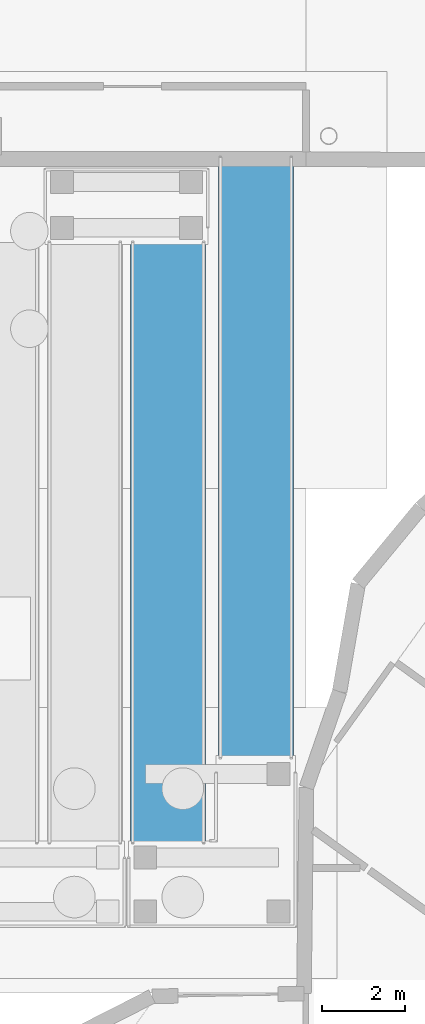
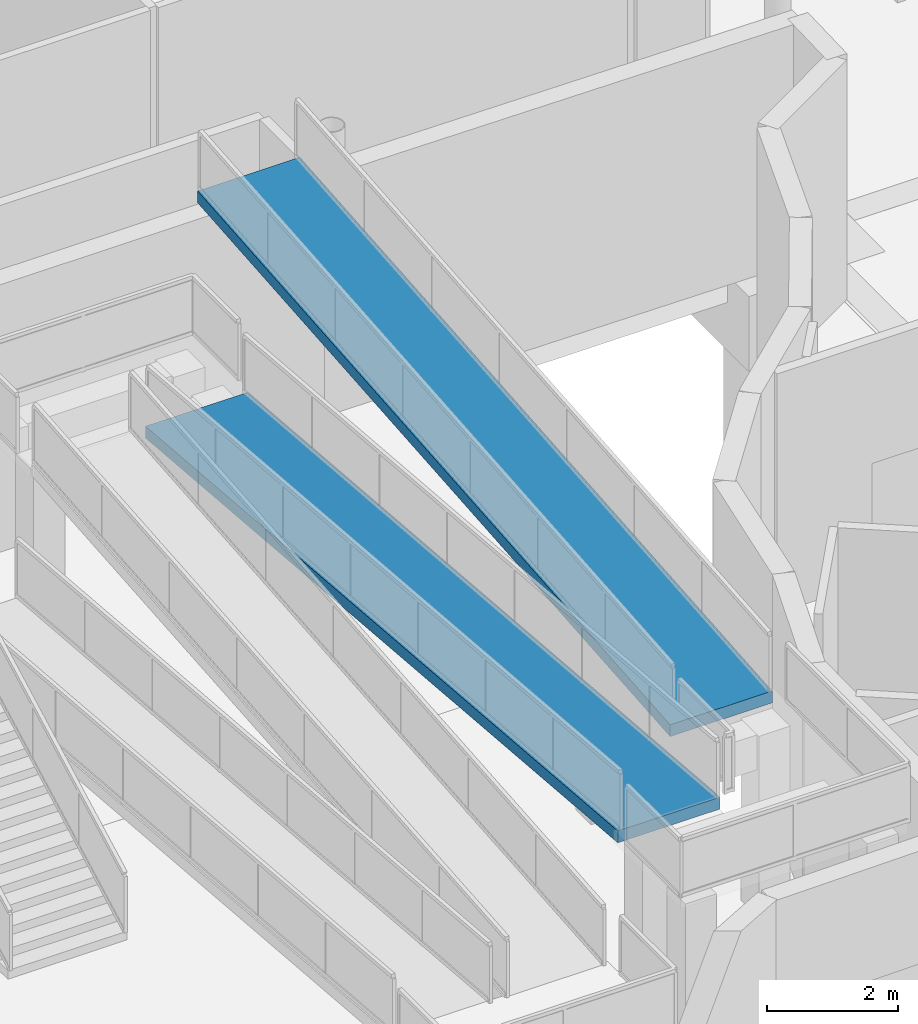
# One storey, part 40 of 45: 2 ramp flights, 2 elements without a shape of their own.
"""IFC4 building model written with IfcOpenShell, lengths in metres."""

import ifcopenshell
import ifcopenshell.guid

model = None  # the IFC model being written
_history = None  # IfcOwnerHistory: only IFC2X3 demands one
_inside = {}  # id of a spatial element -> (the spatial element, [elements in it])
_under = {}  # id of a project, library or spatial element -> (it, [spatial elements below it])
_declared = {}  # id of a project -> (the project, [libraries it declares])
_typed = {}  # id of a type object -> (the type object, [elements of that type])
_made_of = {}  # id of a material, layer set ... -> (it, [elements and type objects made of it])


def new_model(schema):
    """Start an empty IFC model of exactly this schema.

    Asked for "IFC4X3", IfcOpenShell would pick the latest addendum, in which some entities
    have other attributes; the version numbers below select the first issue.
    IFC2X3 requires an IfcOwnerHistory on every rooted entity: one is made here for all.
    """
    global model, _history
    if schema == "IFC4X3":
        model = ifcopenshell.file(schema_version=(4, 3, 0, 0))
    else:
        model = ifcopenshell.file(schema=schema)
    _inside.clear()
    _under.clear()
    _declared.clear()
    _typed.clear()
    _made_of.clear()
    _history = None
    if model.schema == "IFC2X3":
        org = make("IfcOrganization", Name="unknown")
        user = make(
            "IfcPersonAndOrganization",
            ThePerson=make("IfcPerson", FamilyName="unknown"),
            TheOrganization=org,
        )
        app = make(
            "IfcApplication",
            ApplicationDeveloper=org,
            Version="unknown",
            ApplicationFullName="unknown",
            ApplicationIdentifier="unknown",
        )
        _history = make(
            "IfcOwnerHistory",
            OwningUser=user,
            OwningApplication=app,
            ChangeAction="ADDED",
            CreationDate=0,
        )
    return model


def make(cls, **values):
    """One entity of the class cls with the attributes given. An attribute that is None is left unset."""
    return model.create_entity(
        cls, **{name: value for name, value in values.items() if value is not None}
    )


def rooted(cls, **values):
    """An entity with a GlobalId (a new one), such as an element, a storey or a relation."""
    return make(cls, GlobalId=ifcopenshell.guid.new(), OwnerHistory=_history, **values)


def si_unit(unit_type, name, prefix=None):
    """IfcSIUnit, for example si_unit("LENGTHUNIT", "METRE", prefix="MILLI")."""
    return make("IfcSIUnit", UnitType=unit_type, Prefix=prefix, Name=name)


def assignment(units):
    """IfcUnitAssignment: the units of a project."""
    return None if units is None else make("IfcUnitAssignment", Units=units)


def point(xyz):
    """IfcCartesianPoint."""
    return None if xyz is None else make("IfcCartesianPoint", Coordinates=xyz)


def direction(xyz):
    """IfcDirection."""
    return None if xyz is None else make("IfcDirection", DirectionRatios=xyz)


def frame(location, z_axis=None, x_axis=None):
    """IfcAxis2Placement3D, a coordinate frame: its origin and axes. An axis left out is left unset."""
    return make(
        "IfcAxis2Placement3D",
        Location=point(location),
        Axis=direction(z_axis),
        RefDirection=direction(x_axis),
    )


def origin():
    """The frame at (0, 0, 0) with its axes left unset."""
    return frame((0.0, 0.0, 0.0))


def place(relative_to, where):
    """IfcLocalPlacement: puts the frame where relative to a parent placement (None: the world)."""
    return make(
        "IfcLocalPlacement", PlacementRelTo=relative_to, RelativePlacement=where
    )


def context(
    kind, dimensions, precision=None, world=None, true_north=None, identifier=None
):
    """IfcGeometricRepresentationContext, for example the 3D "Model" context."""
    return make(
        "IfcGeometricRepresentationContext",
        ContextIdentifier=identifier,
        ContextType=kind,
        CoordinateSpaceDimension=dimensions,
        Precision=precision,
        WorldCoordinateSystem=world,
        TrueNorth=true_north,
    )


def subcontext(parent, identifier, kind, view, scale=None):
    """IfcGeometricRepresentationSubContext, for example "Body" below "Model"."""
    return make(
        "IfcGeometricRepresentationSubContext",
        ContextIdentifier=identifier,
        ContextType=kind,
        ParentContext=parent,
        TargetScale=scale,
        TargetView=view,
    )


def project(units=None, contexts=None):
    """IfcProject with its units and contexts."""
    return rooted(
        "IfcProject",
        Name="project",
        RepresentationContexts=contexts,
        UnitsInContext=assignment(units),
    )


def spatial(cls, under=None, at=None, **own):
    """A site, building, storey or space (cls), placed at a placement, below another one or the project."""
    s = rooted(cls, ObjectPlacement=at, **own)
    if under is not None:
        _under.setdefault(under.id(), (under, []))[1].append(s)
    return s


def polyline(points):
    """IfcPolyline through the points."""
    return make("IfcPolyline", Points=[point(p) for p in points])


def outline(outer, holes=None, kind="AREA"):
    """IfcArbitraryClosedProfileDef: a profile drawn as a closed curve; with holes, ...WithVoids."""
    if holes is None:
        return make("IfcArbitraryClosedProfileDef", ProfileType=kind, OuterCurve=outer)
    return make(
        "IfcArbitraryProfileDefWithVoids",
        ProfileType=kind,
        OuterCurve=outer,
        InnerCurves=holes,
    )


def extrude(swept, where, along, depth):
    """IfcExtrudedAreaSolid: the profile swept, set in the frame where, extruded along a direction by depth."""
    return make(
        "IfcExtrudedAreaSolid",
        SweptArea=swept,
        Position=where,
        ExtrudedDirection=direction(along),
        Depth=depth,
    )


def shape(context_of_items, identifier, shape_type, items):
    """IfcShapeRepresentation: the items that make up one representation, for example the "Body"."""
    return make(
        "IfcShapeRepresentation",
        ContextOfItems=context_of_items,
        RepresentationIdentifier=identifier,
        RepresentationType=shape_type,
        Items=items,
    )


def material(Name=None, Category=None):
    """IfcMaterial."""
    return make("IfcMaterial", Name=Name, Category=Category)


def layer(
    of_material, thickness, ventilated=None, Name=None, Category=None, Priority=None
):
    """IfcMaterialLayer: one layer of a wall or slab, of a material (None: an air gap)."""
    return make(
        "IfcMaterialLayer",
        Material=of_material,
        LayerThickness=thickness,
        IsVentilated=ventilated,
        Name=Name,
        Category=Category,
        Priority=Priority,
    )


def layer_set(layers, Name=None):
    """IfcMaterialLayerSet."""
    return make("IfcMaterialLayerSet", MaterialLayers=layers, LayerSetName=Name)


def made_of(thing, what):
    """Note that an element or type object is made of a material, layer set ...; save() writes the relation."""
    if what is not None:
        _made_of.setdefault(what.id(), (what, []))[1].append(thing)
    return thing


def type_object(cls, material=None, **own):
    """A type object (cls), such as IfcWallType, which elements share."""
    return made_of(rooted(cls, **own), material)


def element(
    cls,
    number,
    at=None,
    inside=None,
    cuts=None,
    type_object=None,
    material=None,
    context=None,
    identifier="Body",
    shape_type=None,
    held_by="IfcProductDefinitionShape",
    body=None,
    shapes=None,
    **own,
):
    """One element of the class cls, such as IfcWall. Its Tag is "e" and its number.

    at: its placement. inside: the storey or other place that contains it. cuts: it is an
    opening in that element (IfcRelVoidsElement). A single representation is given by context,
    identifier, shape_type and body (its items); several are given by shapes. held_by: the class
    of the entity that holds the representations. save() writes the other relations.
    """
    e = rooted(cls, Tag="e%d" % number, ObjectPlacement=at, **own)
    if body is not None:
        shapes = [shape(context, identifier, shape_type, body)]
    if shapes is not None:
        e.Representation = make(held_by, Representations=shapes)
    if inside is not None:
        _inside.setdefault(inside.id(), (inside, []))[1].append(e)
    if cuts is not None:
        rooted(
            "IfcRelVoidsElement", RelatingBuildingElement=cuts, RelatedOpeningElement=e
        )
    if type_object is not None:
        _typed.setdefault(type_object.id(), (type_object, []))[1].append(e)
    return made_of(e, material)


def aggregate(whole, parts):
    """IfcRelAggregates: a whole, such as a stair, and the parts it consists of."""
    return rooted("IfcRelAggregates", RelatingObject=whole, RelatedObjects=parts)


def save(model, path):
    """Write the relations noted so far, then the file.

    IfcRelAggregates (storeys below a building ...), IfcRelContainedInSpatialStructure (elements
    in a storey), IfcRelDefinesByType, IfcRelAssociatesMaterial and IfcRelDeclares: one each for
    every whole, place, type object, material and project.
    """
    for whole, parts in _under.values():
        aggregate(whole, parts)
    for where, things in _inside.values():
        rooted(
            "IfcRelContainedInSpatialStructure",
            RelatedElements=things,
            RelatingStructure=where,
        )
    for kind, things in _typed.values():
        rooted("IfcRelDefinesByType", RelatedObjects=things, RelatingType=kind)
    for what, things in _made_of.values():
        rooted("IfcRelAssociatesMaterial", RelatedObjects=things, RelatingMaterial=what)
    for by, libraries in _declared.values():
        rooted("IfcRelDeclares", RelatingContext=by, RelatedDefinitions=libraries)
    model.write(path)


model = new_model("IFC4")

# Units and contexts
model_context = context("Model", 3, precision=1e-05, world=origin(), true_north=direction((0.0, 1.0)))
body_context = subcontext(model_context, "Body", "Model", "MODEL_VIEW")
ifc_project = project(units=[si_unit("LENGTHUNIT", "METRE"), si_unit("AREAUNIT", "SQUARE_METRE"), si_unit("VOLUMEUNIT", "CUBIC_METRE"), si_unit("PLANEANGLEUNIT", "RADIAN"), si_unit("MASSUNIT", "GRAM", prefix="KILO")], contexts=[model_context])

# Site, building, storey
site_placement = place(None, origin())
site = spatial("IfcSite", under=ifc_project, at=site_placement, CompositionType="ELEMENT")
building_placement = place(site_placement, origin())
building = spatial("IfcBuilding", under=site, at=building_placement, Name="Selatvlak General Hospital", CompositionType="ELEMENT")
storey_placement = place(building_placement, frame((0.0, 0.0, -4.800048828125)))
storey = spatial("IfcBuildingStorey", under=building, at=storey_placement, Name="B1", CompositionType="ELEMENT", Elevation=-4.800048828125)

# Ramp, ramp flight
ifc_material = material(Name="Concrete C40/50", Category="concrete")
ramp_type = type_object("IfcRampType", Name="RAMP-ACC", PredefinedType="STRAIGHT_RUN_RAMP", material=ifc_material)
ramp_1_placement = place(storey_placement, origin())
ramp_1 = element("IfcRamp", 1, at=ramp_1_placement, inside=storey, type_object=ramp_type, Name="Accessible step-free ramp RMP-ACC-03", PredefinedType="STRAIGHT_RUN_RAMP")
ifc_layer = layer(ifc_material, 0.219970703125, Name="Concrete C40/50", Category="concrete")
ifc_layer_set = layer_set([ifc_layer], Name="Concrete C40/50")
ramp_flight_type = type_object("IfcRampFlightType", Name="RFL-ACC", PredefinedType="STRAIGHT", material=ifc_layer_set)
ramp_flight_1_placement = place(storey_placement, frame((19.5, 50.0, 2.400146484375), z_axis=(0.0, 0.0, 1.0), x_axis=(0.0, -1.0, 0.0)))
ramp_flight_1 = element("IfcRampFlight", 2, at=ramp_flight_1_placement, type_object=ramp_flight_type, Name="Accessible step-free ramp flight RMP-ACC-03", PredefinedType="STRAIGHT", context=body_context, shape_type="SweptSolid", body=[
    extrude(outline(polyline([(0.0, -0.219970703125), (14.39990234375, 0.97998046875), (14.39990234375, 1.199951171875), (0.0, 0.0), (0.0, -0.219970703125)])), frame((0.0, 0.89990234375, 0.0), z_axis=(0.0, -1.0, 0.0), x_axis=(1.0, 0.0, 0.0)), (0.0, 0.0, 1.0), 1.800048828125),
])
aggregate(ramp_1, [ramp_flight_1])

ramp_2_placement = place(storey_placement, origin())
ramp_2 = element("IfcRamp", 3, at=ramp_2_placement, inside=storey, type_object=ramp_type, Name="Accessible step-free ramp RMP-ACC-04", PredefinedType="STRAIGHT_RUN_RAMP")
ramp_flight_2_placement = place(storey_placement, frame((21.60009765625, 37.64501953125, 3.60009765625), z_axis=(0.0, 0.0, 1.0), x_axis=(0.0, 1.0, 0.0)))
ramp_flight_2 = element("IfcRampFlight", 4, at=ramp_flight_2_placement, type_object=ramp_flight_type, Name="Accessible step-free ramp flight RMP-ACC-04", PredefinedType="STRAIGHT", context=body_context, shape_type="SweptSolid", body=[
    extrude(outline(polyline([(0.0, -0.219970703125), (14.39990234375, 0.97998046875), (14.39990234375, 1.199951171875), (0.0, 0.0), (0.0, -0.219970703125)])), frame((0.0, 0.89990234375, 0.0), z_axis=(0.0, -1.0, 0.0), x_axis=(1.0, 0.0, 0.0)), (0.0, 0.0, 1.0), 1.800048828125),
])
aggregate(ramp_2, [ramp_flight_2])

save(model, "model.ifc")
